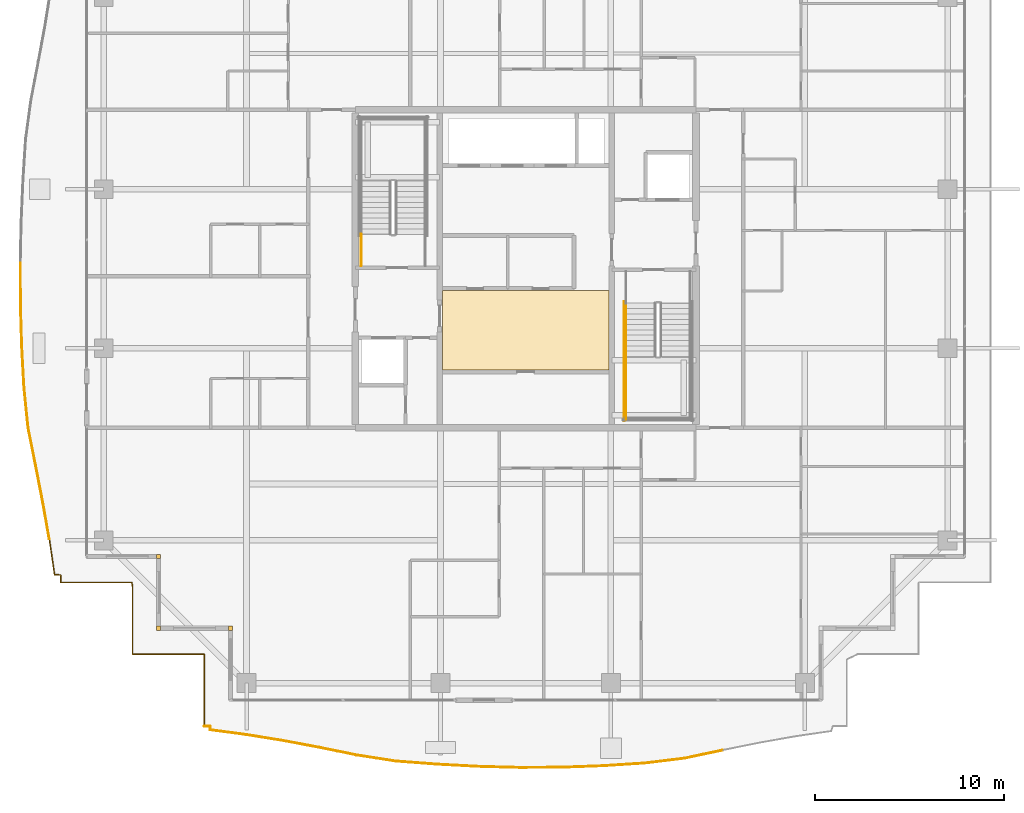
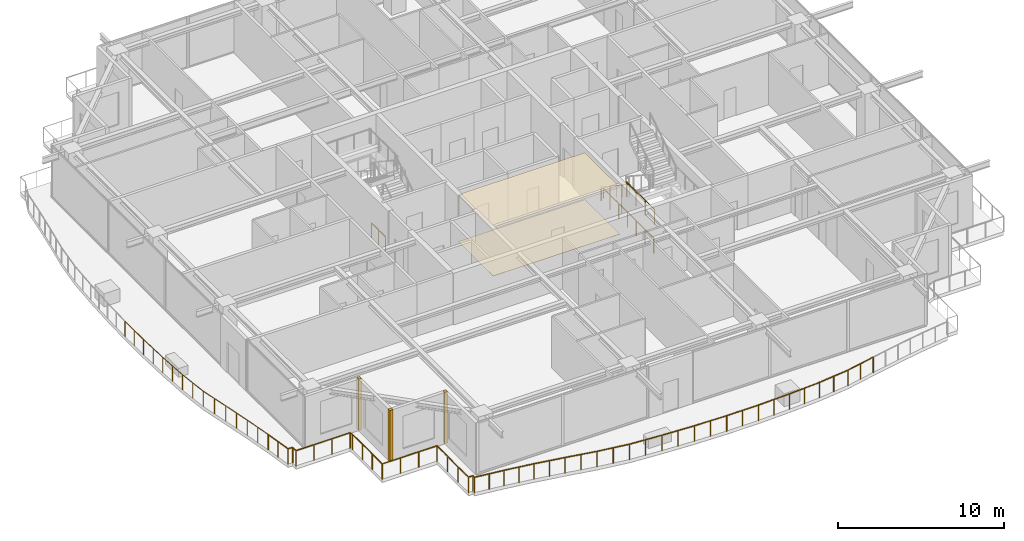
# One storey, part 33 of 37: 8 railings, 5 coverings.
"""IFC4 building model written with IfcOpenShell, lengths in metres."""

from ifc_helpers import new_model, si_unit, direction, frame, origin, origin_2d, place, context, subcontext, project, spatial, polyline, rectangle, circle, outline, extrude, source, transform, mapped, material, layer, layer_set, type_object, element, save


model = new_model("IFC4")

# Units and contexts
model_context = context("Model", 3, precision=1e-05, world=origin(), true_north=direction((0.0, 1.0)))
body_context = subcontext(model_context, "Body", "Model", "MODEL_VIEW")
ifc_project = project(units=[si_unit("LENGTHUNIT", "METRE"), si_unit("AREAUNIT", "SQUARE_METRE"), si_unit("VOLUMEUNIT", "CUBIC_METRE"), si_unit("PLANEANGLEUNIT", "RADIAN"), si_unit("MASSUNIT", "GRAM", prefix="KILO")], contexts=[model_context])

# Site, building, storey
site_placement = place(None, origin())
site = spatial("IfcSite", under=ifc_project, at=site_placement, CompositionType="ELEMENT")
building_placement = place(site_placement, origin())
building = spatial("IfcBuilding", under=site, at=building_placement, Name="Serunith Strait Residences", CompositionType="ELEMENT")
storey_placement = place(building_placement, frame((0.0, 0.0, 305.60009765625)))
storey = spatial("IfcBuildingStorey", under=building, at=storey_placement, Name="L76", CompositionType="ELEMENT", Elevation=305.60009765625)

# Coverings
ifc_material_1 = material(Name="Perforated acoustic gypsum ceiling tile")
ifc_layer_1 = layer(ifc_material_1, 0.02490234375, Name="Perforated acoustic gypsum ceiling tile")
ifc_layer_set_1 = layer_set([ifc_layer_1], Name="Perforated acoustic gypsum ceiling tile")
covering_type_1 = type_object("IfcCoveringType", Name="COV-CEIL-AC60", PredefinedType="CEILING", material=ifc_layer_set_1)
covering_1_placement = place(storey_placement, frame((0.0, 0.0, 3.43994140625)))
element("IfcCovering", 1, at=covering_1_placement, inside=storey, type_object=covering_type_1, Name="L76 Lift Lobby Acoustic Ceiling", PredefinedType="CEILING", context=body_context, shape_type="SweptSolid", body=[
    extrude(outline(polyline([(28.0, 19.85009765625), (36.800048828125, 19.85009765625), (36.800048828125, 24.050048828125), (28.0, 24.050048828125), (28.0, 19.85009765625)])), origin(), (0.0, 0.0, 1.0), 0.02490234375),
])
ifc_material_2 = material(Name="Honed limestone terrazzo flooring", Category="masonry")
ifc_layer_2 = layer(ifc_material_2, 0.02001953125, Name="Honed limestone terrazzo flooring")
ifc_layer_set_2 = layer_set([ifc_layer_2], Name="Honed limestone terrazzo flooring")
covering_type_2 = type_object("IfcCoveringType", Name="COV-FLOOR-TER40", PredefinedType="FLOORING", material=ifc_layer_set_2)
covering_2_placement = place(storey_placement, origin())
element("IfcCovering", 2, at=covering_2_placement, inside=storey, type_object=covering_type_2, Name="L76 Lift Lobby Terrazzo Flooring", PredefinedType="FLOORING", context=body_context, shape_type="SweptSolid", body=[
    extrude(outline(polyline([(28.0, 19.85009765625), (36.800048828125, 19.85009765625), (36.800048828125, 24.050048828125), (28.0, 24.050048828125), (28.0, 19.85009765625)])), origin(), (0.0, 0.0, 1.0), 0.02001953125),
])

# Railings
ifc_material_3 = material(Name="Stainless Steel & Laminated Glass Balustrade", Category="steel")
railing_type_1 = type_object("IfcRailingType", Name="RLG-BALC-1150", PredefinedType="BALUSTRADE", material=ifc_material_3)
railing_1_placement = place(storey_placement, frame((15.419921875, 1.02001953125, -0.050048828125)))
element("IfcRailing", 3, at=railing_1_placement, inside=storey, type_object=railing_type_1, Name="L76 Swirling Balcony Perimeter Balustrade 1", PredefinedType="BALUSTRADE", context=body_context, shape_type="SweptSolid", body=[
    extrude(circle(Radius=0.02392578125, at=origin_2d()), frame((0.0, 0.001953125, 1.1259765625), z_axis=(0.0, 1.0, 0.0), x_axis=(-1.0, 0.0, 0.0)), (0.0, 0.0, 1.0), 3.796142578125),
    extrude(circle(Radius=0.02392578125, at=origin_2d()), frame((-0.001953125, 3.800048828125, 1.1259765625), z_axis=(-1.0, 0.0, 0.0), x_axis=(0.0, -1.0, 0.0)), (0.0, 0.0, 1.0), 3.7958984375),
    extrude(circle(Radius=0.02392578125, at=origin_2d()), frame((-3.7998046875, 3.802001953125, 1.1259765625), z_axis=(0.0, 1.0, 0.0), x_axis=(-1.0, 0.0, 0.0)), (0.0, 0.0, 1.0), 3.5712890625),
    extrude(circle(Radius=0.02392578125, at=origin_2d()), frame((-3.800048828125, 7.377197265625, 1.1259765625), z_axis=(-0.153427647617, 0.988159884303, 0.0), x_axis=(-0.988159884303, -0.153427647617, 0.0)), (0.0, 0.0, 1.0), 0.2236328125),
    extrude(circle(Radius=0.02392578125, at=origin_2d()), frame((-3.836669921875, 7.60009765625, 1.1259765625), z_axis=(-1.0, 0.0, 0.0), x_axis=(0.0, -1.0, 0.0)), (0.0, 0.0, 1.0), 3.76123046875),
    extrude(circle(Radius=0.02392578125, at=origin_2d()), frame((-7.599853515625, 7.60205078125, 1.1259765625), z_axis=(0.0, 1.0, 0.0), x_axis=(-1.0, 0.0, 0.0)), (0.0, 0.0, 1.0), 0.388427734375),
    extrude(circle(Radius=0.02392578125, at=origin_2d()), frame((-7.601806640625, 7.992431640625, 1.1259765625), z_axis=(-0.998295492206, 0.058361890314, 0.0), x_axis=(-0.058361890314, -0.998295492206, 0.0)), (0.0, 0.0, 1.0), 0.31396484375),
    extrude(circle(Radius=0.02392578125, at=origin_2d()), frame((-7.91748046875, 8.012939453125, 1.1259765625), z_axis=(-0.145944541566, 0.989292773039, 0.0), x_axis=(-0.989292773039, -0.145944541566, 0.0)), (0.0, 0.0, 1.0), 1.914794921875),
    extrude(circle(Radius=0.02099609375, at=origin_2d()), origin(), (0.0, 0.0, 1.0), 1.099853515625),
    extrude(circle(Radius=0.02099609375, at=origin_2d()), frame((0.0, 1.2666015625, 0.0)), (0.0, 0.0, 1.0), 1.099853515625),
    extrude(circle(Radius=0.02099609375, at=origin_2d()), frame((0.0, 2.533447265625, 0.0)), (0.0, 0.0, 1.0), 1.099853515625),
    extrude(circle(Radius=0.02099609375, at=origin_2d()), frame((0.0, 3.800048828125, 0.0)), (0.0, 0.0, 1.0), 1.099853515625),
    extrude(circle(Radius=0.02099609375, at=origin_2d()), frame((-1.2666015625, 3.800048828125, 0.0)), (0.0, 0.0, 1.0), 1.099853515625),
    extrude(circle(Radius=0.02099609375, at=origin_2d()), frame((-2.533203125, 3.800048828125, 0.0)), (0.0, 0.0, 1.0), 1.099853515625),
    extrude(circle(Radius=0.02099609375, at=origin_2d()), frame((-3.7998046875, 3.800048828125, 0.0)), (0.0, 0.0, 1.0), 1.099853515625),
    extrude(circle(Radius=0.02099609375, at=origin_2d()), frame((-3.7998046875, 4.99169921875, 0.0)), (0.0, 0.0, 1.0), 1.099853515625),
    extrude(circle(Radius=0.02099609375, at=origin_2d()), frame((-3.7998046875, 6.18359375, 0.0)), (0.0, 0.0, 1.0), 1.099853515625),
    extrude(circle(Radius=0.02099609375, at=origin_2d()), frame((-3.7998046875, 7.375244140625, 0.0)), (0.0, 0.0, 1.0), 1.099853515625),
    extrude(circle(Radius=0.02099609375, at=origin_2d()), frame((-3.834716796875, 7.60009765625, 0.0)), (0.0, 0.0, 1.0), 1.099853515625),
    extrude(circle(Radius=0.02099609375, at=origin_2d()), frame((-5.08984375, 7.60009765625, 0.0)), (0.0, 0.0, 1.0), 1.099853515625),
    extrude(circle(Radius=0.02099609375, at=origin_2d()), frame((-6.3447265625, 7.60009765625, 0.0)), (0.0, 0.0, 1.0), 1.099853515625),
    extrude(circle(Radius=0.02099609375, at=origin_2d()), frame((-7.599853515625, 7.60009765625, 0.0)), (0.0, 0.0, 1.0), 1.099853515625),
    extrude(circle(Radius=0.02099609375, at=origin_2d()), frame((-7.599853515625, 7.992431640625, 0.0)), (0.0, 0.0, 1.0), 1.099853515625),
    extrude(circle(Radius=0.02099609375, at=origin_2d()), frame((-7.917236328125, 8.010986328125, 0.0)), (0.0, 0.0, 1.0), 1.099853515625),
    extrude(circle(Radius=0.02099609375, at=origin_2d()), frame((-8.05712890625, 8.9599609375, 0.0)), (0.0, 0.0, 1.0), 1.099853515625),
    extrude(circle(Radius=0.02099609375, at=origin_2d()), frame((-8.197265625, 9.9091796875, 0.0)), (0.0, 0.0, 1.0), 1.099853515625),
])
railing_2_placement = place(storey_placement, frame((7.22265625, 10.92919921875, -0.050048828125)))
element("IfcRailing", 4, at=railing_2_placement, inside=storey, type_object=railing_type_1, Name="L76 Swirling Balcony Perimeter Balustrade 2", PredefinedType="BALUSTRADE", context=body_context, shape_type="SweptSolid", body=[
    extrude(circle(Radius=0.02392578125, at=origin_2d()), frame((-0.000244140625, 0.001953125, 1.1259765625), z_axis=(-0.172304283083, 0.985043772647, 0.0), x_axis=(-0.985043772647, -0.172304283083, 0.0)), (0.0, 0.0, 1.0), 1.94287109375),
    extrude(circle(Radius=0.02392578125, at=origin_2d()), frame((-0.3359375, 1.919677734375, 1.1259765625), z_axis=(-0.190856535315, 0.981617941425, 0.0), x_axis=(-0.981617941425, -0.190856535315, 0.0)), (0.0, 0.0, 1.0), 1.98779296875),
    extrude(circle(Radius=0.02392578125, at=origin_2d()), frame((-0.716064453125, 3.874755859375, 1.1259765625), z_axis=(-0.195475071263, 0.980708670562, 0.0), x_axis=(-0.980708670562, -0.195475071263, 0.0)), (0.0, 0.0, 1.0), 2.046875),
    extrude(circle(Radius=0.02392578125, at=origin_2d()), frame((-1.11669921875, 5.885986328125, 1.1259765625), z_axis=(-0.101566881742, 0.994828713163, 0.0), x_axis=(-0.994828713163, -0.101566881742, 0.0)), (0.0, 0.0, 1.0), 2.128173828125),
    extrude(circle(Radius=0.02392578125, at=origin_2d()), frame((-1.3330078125, 8.007080078125, 1.1259765625), z_axis=(-0.053760514547, 0.998553857874, 0.0), x_axis=(-0.998553857874, -0.053760514547, 0.0)), (0.0, 0.0, 1.0), 2.17138671875),
    extrude(circle(Radius=0.02392578125, at=origin_2d()), frame((-1.449951171875, 10.17919921875, 1.1259765625), z_axis=(-0.029457850999, 0.999566023339, 0.0), x_axis=(-0.999566023339, -0.029457850999, 0.0)), (0.0, 0.0, 1.0), 2.1923828125),
    extrude(circle(Radius=0.02392578125, at=origin_2d()), frame((-1.5146484375, 12.37451171875, 1.1259765625), z_axis=(-0.003764366597, 0.999992914747, 0.0), x_axis=(-0.999992914747, -0.003764366597, 0.0)), (0.0, 0.0, 1.0), 2.201171875),
    extrude(circle(Radius=0.02099609375, at=origin_2d()), origin(), (0.0, 0.0, 1.0), 1.099853515625),
    extrude(circle(Radius=0.02099609375, at=origin_2d()), frame((-0.167724609375, 0.958984375, 0.0)), (0.0, 0.0, 1.0), 1.099853515625),
    extrude(circle(Radius=0.02099609375, at=origin_2d()), frame((-0.33544921875, 1.917724609375, 0.0)), (0.0, 0.0, 1.0), 1.099853515625),
    extrude(circle(Radius=0.02099609375, at=origin_2d()), frame((-0.525390625, 2.895263671875, 0.0)), (0.0, 0.0, 1.0), 1.099853515625),
    extrude(circle(Radius=0.02099609375, at=origin_2d()), frame((-0.715576171875, 3.872802734375, 0.0)), (0.0, 0.0, 1.0), 1.099853515625),
    extrude(circle(Radius=0.02099609375, at=origin_2d()), frame((-0.916015625, 4.87841796875, 0.0)), (0.0, 0.0, 1.0), 1.099853515625),
    extrude(circle(Radius=0.02099609375, at=origin_2d()), frame((-1.116455078125, 5.884033203125, 0.0)), (0.0, 0.0, 1.0), 1.099853515625),
    extrude(circle(Radius=0.02099609375, at=origin_2d()), frame((-1.224609375, 6.944580078125, 0.0)), (0.0, 0.0, 1.0), 1.099853515625),
    extrude(circle(Radius=0.02099609375, at=origin_2d()), frame((-1.3330078125, 8.005126953125, 0.0)), (0.0, 0.0, 1.0), 1.099853515625),
    extrude(circle(Radius=0.02099609375, at=origin_2d()), frame((-1.3916015625, 9.09130859375, 0.0)), (0.0, 0.0, 1.0), 1.099853515625),
    extrude(circle(Radius=0.02099609375, at=origin_2d()), frame((-1.449951171875, 10.17724609375, 0.0)), (0.0, 0.0, 1.0), 1.099853515625),
    extrude(circle(Radius=0.02099609375, at=origin_2d()), frame((-1.482421875, 11.27490234375, 0.0)), (0.0, 0.0, 1.0), 1.099853515625),
    extrude(circle(Radius=0.02099609375, at=origin_2d()), frame((-1.5146484375, 12.37255859375, 0.0)), (0.0, 0.0, 1.0), 1.099853515625),
    extrude(circle(Radius=0.02099609375, at=origin_2d()), frame((-1.518798828125, 13.47509765625, 0.0)), (0.0, 0.0, 1.0), 1.099853515625),
    extrude(circle(Radius=0.02099609375, at=origin_2d()), frame((-1.52294921875, 14.57763671875, 0.0)), (0.0, 0.0, 1.0), 1.099853515625),
])
railing_3_placement = place(storey_placement, frame((42.79833984375, -0.247314453125, -0.050048828125)))
element("IfcRailing", 5, at=railing_3_placement, inside=storey, type_object=railing_type_1, Name="L76 Swirling Balcony Perimeter Balustrade 7", PredefinedType="BALUSTRADE", context=body_context, shape_type="SweptSolid", body=[
    extrude(circle(Radius=0.02392578125, at=origin_2d()), frame((-0.001953125, -0.00048828125, 1.1259765625), z_axis=(-0.978335297425, -0.207026678989, 0.0), x_axis=(0.207026678989, -0.978335297425, 0.0)), (0.0, 0.0, 1.0), 2.0419921875),
    extrude(circle(Radius=0.02392578125, at=origin_2d()), frame((-2.003662109375, -0.423828125, 1.1259765625), z_axis=(-0.992637134429, -0.121126047372, 0.0), x_axis=(0.121126047372, -0.992637134429, 0.0)), (0.0, 0.0, 1.0), 2.12451171875),
    extrude(circle(Radius=0.02392578125, at=origin_2d()), frame((-4.116455078125, -0.681640625, 1.1259765625), z_axis=(-0.997900620275, -0.064763817485, 0.0), x_axis=(0.064763817485, -0.997900620275, 0.0)), (0.0, 0.0, 1.0), 2.1748046875),
    extrude(circle(Radius=0.02392578125, at=origin_2d()), frame((-6.290771484375, -0.822509765625, 1.1259765625), z_axis=(-0.999331722676, -0.036552811847, 0.0), x_axis=(0.036552811847, -0.999331722676, 0.0)), (0.0, 0.0, 1.0), 2.2001953125),
    extrude(circle(Radius=0.02392578125, at=origin_2d()), frame((-8.493408203125, -0.903076171875, 1.1259765625), z_axis=(-0.999986583008, -0.005180135501, 0.0), x_axis=(0.005180135501, -0.999986583008, 0.0)), (0.0, 0.0, 1.0), 2.211181640625),
    extrude(circle(Radius=0.02392578125, at=origin_2d()), frame((-10.70849609375, -0.91455078125, 1.1259765625), z_axis=(-0.999663403571, 0.025943776901, 0.0), x_axis=(-0.025943776901, -0.999663403571, 0.0)), (0.0, 0.0, 1.0), 2.20751953125),
    extrude(circle(Radius=0.02392578125, at=origin_2d()), frame((-12.919189453125, -0.857177734375, 1.1259765625), z_axis=(-0.998565689125, 0.053540307264, 0.0), x_axis=(-0.053540307264, -0.998565689125, 0.0)), (0.0, 0.0, 1.0), 2.189453125),
    extrude(circle(Radius=0.02099609375, at=origin_2d()), origin(), (0.0, 0.0, 1.0), 1.099853515625),
    extrude(circle(Radius=0.02099609375, at=origin_2d()), frame((-1.0009765625, -0.2119140625, 0.0)), (0.0, 0.0, 1.0), 1.099853515625),
    extrude(circle(Radius=0.02099609375, at=origin_2d()), frame((-2.001708984375, -0.423583984375, 0.0)), (0.0, 0.0, 1.0), 1.099853515625),
    extrude(circle(Radius=0.02099609375, at=origin_2d()), frame((-3.05810546875, -0.552490234375, 0.0)), (0.0, 0.0, 1.0), 1.099853515625),
    extrude(circle(Radius=0.02099609375, at=origin_2d()), frame((-4.114501953125, -0.681396484375, 0.0)), (0.0, 0.0, 1.0), 1.099853515625),
    extrude(circle(Radius=0.02099609375, at=origin_2d()), frame((-5.20166015625, -0.751953125, 0.0)), (0.0, 0.0, 1.0), 1.099853515625),
    extrude(circle(Radius=0.02099609375, at=origin_2d()), frame((-6.288818359375, -0.822509765625, 0.0)), (0.0, 0.0, 1.0), 1.099853515625),
    extrude(circle(Radius=0.02099609375, at=origin_2d()), frame((-7.39013671875, -0.86279296875, 0.0)), (0.0, 0.0, 1.0), 1.099853515625),
    extrude(circle(Radius=0.02099609375, at=origin_2d()), frame((-8.491455078125, -0.903076171875, 0.0)), (0.0, 0.0, 1.0), 1.099853515625),
    extrude(circle(Radius=0.02099609375, at=origin_2d()), frame((-9.59912109375, -0.90869140625, 0.0)), (0.0, 0.0, 1.0), 1.099853515625),
    extrude(circle(Radius=0.02099609375, at=origin_2d()), frame((-10.70654296875, -0.91455078125, 0.0)), (0.0, 0.0, 1.0), 1.099853515625),
    extrude(circle(Radius=0.02099609375, at=origin_2d()), frame((-11.81201171875, -0.8857421875, 0.0)), (0.0, 0.0, 1.0), 1.099853515625),
    extrude(circle(Radius=0.02099609375, at=origin_2d()), frame((-12.917236328125, -0.857177734375, 0.0)), (0.0, 0.0, 1.0), 1.099853515625),
    extrude(circle(Radius=0.02099609375, at=origin_2d()), frame((-14.01220703125, -0.79833984375, 0.0)), (0.0, 0.0, 1.0), 1.099853515625),
    extrude(circle(Radius=0.02099609375, at=origin_2d()), frame((-15.107421875, -0.73974609375, 0.0)), (0.0, 0.0, 1.0), 1.099853515625),
])
railing_4_placement = place(storey_placement, frame((27.69091796875, -0.987060546875, -0.050048828125)))
element("IfcRailing", 6, at=railing_4_placement, inside=storey, type_object=railing_type_1, Name="L76 Swirling Balcony Perimeter Balustrade 8", PredefinedType="BALUSTRADE", context=body_context, shape_type="SweptSolid", body=[
    extrude(circle(Radius=0.02392578125, at=origin_2d()), frame((-0.001953125, 0.000244140625, 1.1259765625), z_axis=(-0.997140112725, 0.075575099041, 0.0), x_axis=(-0.075575099041, -0.997140112725, 0.0)), (0.0, 0.0, 1.0), 2.160400390625),
    extrude(circle(Radius=0.02392578125, at=origin_2d()), frame((-2.16015625, 0.163818359375, 1.1259765625), z_axis=(-0.9880673768, 0.15402226756, 0.0), x_axis=(-0.15402226756, -0.9880673768, 0.0)), (0.0, 0.0, 1.0), 2.09619140625),
    extrude(circle(Radius=0.02392578125, at=origin_2d()), frame((-4.2353515625, 0.487548828125, 1.1259765625), z_axis=(-0.979794422595, 0.200007223501, 0.0), x_axis=(-0.200007223501, -0.979794422595, 0.0)), (0.0, 0.0, 1.0), 2.022216796875),
    extrude(circle(Radius=0.02392578125, at=origin_2d()), frame((-6.220703125, 0.892822265625, 1.1259765625), z_axis=(-0.982772544168, 0.184819172244, 0.0), x_axis=(-0.184819172244, -0.982772544168, 0.0)), (0.0, 0.0, 1.0), 1.96826171875),
    extrude(circle(Radius=0.02392578125, at=origin_2d()), frame((-8.158935546875, 1.257080078125, 1.1259765625), z_axis=(-0.987206554882, 0.159446599204, 0.0), x_axis=(-0.159446599204, -0.987206554882, 0.0)), (0.0, 0.0, 1.0), 1.931396484375),
    extrude(circle(Radius=0.02392578125, at=origin_2d()), frame((-10.069580078125, 1.565673828125, 1.1259765625), z_axis=(-0.991388636137, 0.130952556825, 0.0), x_axis=(-0.130952556825, -0.991388636137, 0.0)), (0.0, 0.0, 1.0), 1.91064453125),
    extrude(circle(Radius=0.02392578125, at=origin_2d()), frame((-11.9658203125, 1.818115234375, 1.1259765625), z_axis=(0.00767240844, 0.999970566641, 0.0), x_axis=(-0.999970566641, 0.00767240844, 0.0)), (0.0, 0.0, 1.0), 0.18701171875),
    extrude(circle(Radius=0.02392578125, at=origin_2d()), frame((-11.96630859375, 2.007080078125, 1.1259765625), z_axis=(-1.0, 0.0, 0.0), x_axis=(0.0, -1.0, 0.0)), (0.0, 0.0, 1.0), 0.302734375),
    extrude(circle(Radius=0.02099609375, at=origin_2d()), origin(), (0.0, 0.0, 1.0), 1.099853515625),
    extrude(circle(Radius=0.02099609375, at=origin_2d()), frame((-1.0791015625, 0.081787109375, 0.0)), (0.0, 0.0, 1.0), 1.099853515625),
    extrude(circle(Radius=0.02099609375, at=origin_2d()), frame((-2.158203125, 0.16357421875, 0.0)), (0.0, 0.0, 1.0), 1.099853515625),
    extrude(circle(Radius=0.02099609375, at=origin_2d()), frame((-3.19580078125, 0.3251953125, 0.0)), (0.0, 0.0, 1.0), 1.099853515625),
    extrude(circle(Radius=0.02099609375, at=origin_2d()), frame((-4.2333984375, 0.487060546875, 0.0)), (0.0, 0.0, 1.0), 1.099853515625),
    extrude(circle(Radius=0.02099609375, at=origin_2d()), frame((-5.22607421875, 0.689697265625, 0.0)), (0.0, 0.0, 1.0), 1.099853515625),
    extrude(circle(Radius=0.02099609375, at=origin_2d()), frame((-6.21875, 0.892333984375, 0.0)), (0.0, 0.0, 1.0), 1.099853515625),
    extrude(circle(Radius=0.02099609375, at=origin_2d()), frame((-7.18798828125, 1.07470703125, 0.0)), (0.0, 0.0, 1.0), 1.099853515625),
    extrude(circle(Radius=0.02099609375, at=origin_2d()), frame((-8.156982421875, 1.2568359375, 0.0)), (0.0, 0.0, 1.0), 1.099853515625),
    extrude(circle(Radius=0.02099609375, at=origin_2d()), frame((-9.1123046875, 1.4111328125, 0.0)), (0.0, 0.0, 1.0), 1.099853515625),
    extrude(circle(Radius=0.02099609375, at=origin_2d()), frame((-10.067626953125, 1.5654296875, 0.0)), (0.0, 0.0, 1.0), 1.099853515625),
    extrude(circle(Radius=0.02099609375, at=origin_2d()), frame((-11.0166015625, 1.69091796875, 0.0)), (0.0, 0.0, 1.0), 1.099853515625),
    extrude(circle(Radius=0.02099609375, at=origin_2d()), frame((-11.9658203125, 1.816162109375, 0.0)), (0.0, 0.0, 1.0), 1.099853515625),
    extrude(circle(Radius=0.02099609375, at=origin_2d()), frame((-11.96435546875, 2.007080078125, 0.0)), (0.0, 0.0, 1.0), 1.099853515625),
    extrude(circle(Radius=0.02099609375, at=origin_2d()), frame((-12.27099609375, 2.007080078125, 0.0)), (0.0, 0.0, 1.0), 1.099853515625),
])
ifc_material_4 = material(Name="Brushed stainless steel 316L", Category="steel")
railing_type_2 = type_object("IfcRailingType", Name="RLG-STAIR-GUARD", PredefinedType="BALUSTRADE", material=ifc_material_4)
railing_5_placement = place(storey_placement, frame((23.699951171875, 25.35009765625, 0.0)))
element("IfcRailing", 7, at=railing_5_placement, inside=storey, type_object=railing_type_2, Name="L76 ST-1 stair guard 9", PredefinedType="BALUSTRADE", context=body_context, shape_type="SweptSolid", body=[
    extrude(circle(Radius=0.02392578125, at=origin_2d()), frame((0.0, 0.001953125, 1.076171875), z_axis=(0.0, 1.0, 0.0), x_axis=(-1.0, 0.0, 0.0)), (0.0, 0.0, 1.0), 1.676025390625),
    extrude(circle(Radius=0.02099609375, at=origin_2d()), origin(), (0.0, 0.0, 1.0), 1.050048828125),
    extrude(circle(Radius=0.02099609375, at=origin_2d()), frame((0.0, 0.83984375, 0.0)), (0.0, 0.0, 1.0), 1.050048828125),
    extrude(circle(Radius=0.02099609375, at=origin_2d()), frame((0.0, 1.679931640625, 0.0)), (0.0, 0.0, 1.0), 1.050048828125),
])
railing_6_placement = place(storey_placement, frame((37.699951171875, 20.570068359375, 2.02490234375)))
element("IfcRailing", 8, at=railing_6_placement, inside=storey, type_object=railing_type_2, Name="L76 ST-2 stair guard 3", PredefinedType="BALUSTRADE", context=body_context, shape_type="SweptSolid", body=[
    extrude(circle(Radius=0.02392578125, at=origin_2d()), frame((0.0, -0.001953125, 1.076171875), z_axis=(0.0, -1.0, 0.0), x_axis=(1.0, 0.0, 0.0)), (0.0, 0.0, 1.0), 3.316162109375),
    extrude(circle(Radius=0.02099609375, at=origin_2d()), origin(), (0.0, 0.0, 1.0), 1.050048828125),
    extrude(circle(Radius=0.02099609375, at=origin_2d()), frame((0.0, -1.106689453125, 0.0)), (0.0, 0.0, 1.0), 1.050048828125),
    extrude(circle(Radius=0.02099609375, at=origin_2d()), frame((0.0, -2.21337890625, 0.0)), (0.0, 0.0, 1.0), 1.050048828125),
    extrude(circle(Radius=0.02099609375, at=origin_2d()), frame((0.0, -3.320068359375, 0.0)), (0.0, 0.0, 1.0), 1.050048828125),
])
railing_7_placement = place(storey_placement, frame((37.60009765625, 23.469970703125, 0.0)))
element("IfcRailing", 9, at=railing_7_placement, inside=storey, type_object=railing_type_2, Name="L76 ST-2 stair guard 10", PredefinedType="BALUSTRADE", context=body_context, shape_type="SweptSolid", body=[
    extrude(circle(Radius=0.02392578125, at=origin_2d()), frame((0.0, -0.001953125, 1.076171875), z_axis=(0.0, -1.0, 0.0), x_axis=(1.0, 0.0, 0.0)), (0.0, 0.0, 1.0), 6.316162109375),
    extrude(circle(Radius=0.02099609375, at=origin_2d()), origin(), (0.0, 0.0, 1.0), 1.050048828125),
    extrude(circle(Radius=0.02099609375, at=origin_2d()), frame((0.0, -1.05322265625, 0.0)), (0.0, 0.0, 1.0), 1.050048828125),
    extrude(circle(Radius=0.02099609375, at=origin_2d()), frame((0.0, -2.106689453125, 0.0)), (0.0, 0.0, 1.0), 1.050048828125),
    extrude(circle(Radius=0.02099609375, at=origin_2d()), frame((0.0, -3.16015625, 0.0)), (0.0, 0.0, 1.0), 1.050048828125),
    extrude(circle(Radius=0.02099609375, at=origin_2d()), frame((0.0, -4.21337890625, 0.0)), (0.0, 0.0, 1.0), 1.050048828125),
    extrude(circle(Radius=0.02099609375, at=origin_2d()), frame((0.0, -5.2666015625, 0.0)), (0.0, 0.0, 1.0), 1.050048828125),
    extrude(circle(Radius=0.02099609375, at=origin_2d()), frame((0.0, -6.320068359375, 0.0)), (0.0, 0.0, 1.0), 1.050048828125),
])
railing_type_3 = type_object("IfcRailingType", Name="RLG-STAIR-HR", PredefinedType="HANDRAIL", material=ifc_material_4)
railing_8_placement = place(storey_placement, frame((37.699951171875, 23.3701171875, 0.18408203125)))
element("IfcRailing", 10, at=railing_8_placement, inside=storey, type_object=railing_type_3, Name="L76 ST-2 stair handrail 1", PredefinedType="HANDRAIL", context=body_context, shape_type="SweptSolid", body=[
    extrude(circle(Radius=0.02392578125, at=origin_2d()), frame((0.0, -0.001708984375, 0.876953125), z_axis=(0.0, -0.83496096917, 0.550309167616), x_axis=(1.0, 0.0, 0.0)), (0.0, 0.0, 1.0), 3.684814453125),
    extrude(circle(Radius=0.02099609375, at=origin_2d()), origin(), (0.0, 0.0, 1.0), 0.849853515625),
    extrude(circle(Radius=0.02099609375, at=origin_2d()), frame((0.0, -0.77001953125, 0.507568359375)), (0.0, 0.0, 1.0), 0.849853515625),
    extrude(circle(Radius=0.02099609375, at=origin_2d()), frame((0.0, -1.5400390625, 1.01513671875)), (0.0, 0.0, 1.0), 0.849853515625),
    extrude(circle(Radius=0.02099609375, at=origin_2d()), frame((0.0, -2.31005859375, 1.5224609375)), (0.0, 0.0, 1.0), 0.849853515625),
    extrude(circle(Radius=0.02099609375, at=origin_2d()), frame((0.0, -3.080078125, 2.030029296875)), (0.0, 0.0, 1.0), 0.849853515625),
])

# Coverings
ifc_material_5 = material(Name="Pale-Champagne Anodised Aluminium", Category="aluminium")
ifc_layer_3 = layer(ifc_material_5, 0.219970703125, Name="Pale-Champagne Anodised Aluminium")
ifc_layer_set_3 = layer_set([ifc_layer_3], Name="Pale-Champagne Anodised Aluminium")
covering_type_3 = type_object("IfcCoveringType", Name="COV-CORN-TRIM", PredefinedType="CLADDING", material=ifc_layer_set_3)
shared_shape = source(origin(), body_context, "Body", "SweptSolid", [
    extrude(rectangle(XDim=0.221923828125, YDim=0.221923828125, at=origin_2d()), origin(), (0.0, 0.0, 1.0), 3.77490234375),
])
for number, where, z_axis, x_axis, name in (
    (11, (13.0, 10.0, 0.0), (0.0, 0.0, 1.0), (1.0, 0.0, 0.0), "L76 Girih Serrated Corner Trim Post 17"),
    (12, (13.0, 6.199951171875, 0.0), (0.0, 0.0, 1.0), (1.0, 0.0, 0.0), "L76 Girih Serrated Corner Trim Post 18"),
    (13, (16.800048828125, 6.199951171875, 0.0), (0.0, 0.0, 1.0), (1.0, 0.0, 0.0), "L76 Girih Serrated Corner Trim Post 19"),
):
    element("IfcCovering", number, at=place(storey_placement, frame(where, z_axis=z_axis, x_axis=x_axis)), inside=storey, type_object=covering_type_3, Name=name, PredefinedType="CLADDING", context=body_context, shape_type="MappedRepresentation", body=[
        mapped(shared_shape, transform((0.0, 0.0, 0.0), scale=1.0)),
    ])

save(model, "model.ifc")
